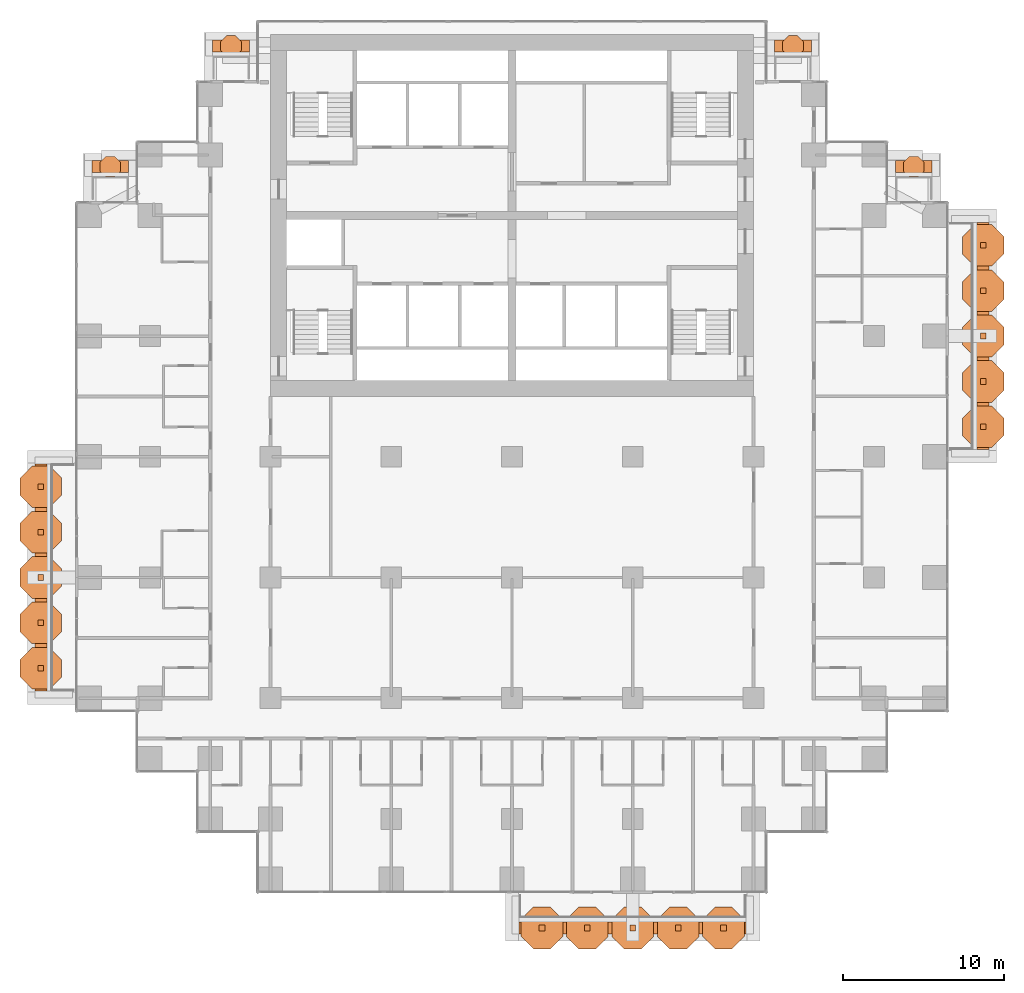
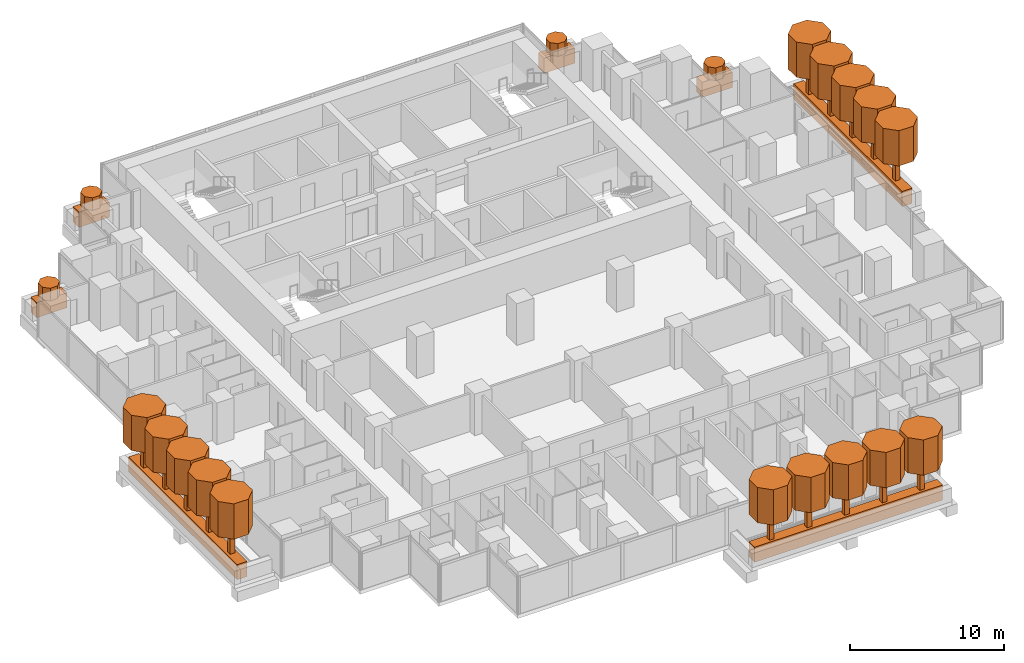
# One storey, part 19 of 19: 41 geographic elements.
"""IFC4 building model written with IfcOpenShell, lengths in metres."""

from ifc_helpers import new_model, si_unit, direction, frame, origin, origin_2d, place, context, subcontext, project, spatial, polyline, rectangle, outline, extrude, material, material_profile, profile_set, type_object, element, save


model = new_model("IFC4")

# Units and contexts
model_context = context("Model", 3, precision=1e-05, world=origin(), true_north=direction((0.0, 1.0)))
body_context = subcontext(model_context, "Body", "Model", "MODEL_VIEW")
ifc_project = project(units=[si_unit("LENGTHUNIT", "METRE"), si_unit("AREAUNIT", "SQUARE_METRE"), si_unit("VOLUMEUNIT", "CUBIC_METRE"), si_unit("PLANEANGLEUNIT", "RADIAN"), si_unit("MASSUNIT", "GRAM", prefix="KILO")], contexts=[model_context])

# Site, building, storey
site_placement = place(None, origin())
site = spatial("IfcSite", under=ifc_project, at=site_placement, CompositionType="ELEMENT")
building_placement = place(site_placement, origin())
building = spatial("IfcBuilding", under=site, at=building_placement, Name="Pilkhan Gate Tower", CompositionType="ELEMENT")
storey_placement = place(building_placement, frame((0.0, 0.0, 65.89990234375)))
storey = spatial("IfcBuildingStorey", under=building, at=storey_placement, Name="L14", CompositionType="ELEMENT", Elevation=65.89990234375)

# Geographic elements
ifc_material_1 = material(Name="Foliage")
ifc_material_profile_1 = material_profile(ifc_material_1, rectangle(XDim=0.75, YDim=1.199951171875, at=origin_2d()), Name="Bed 750x1200")
ifc_profile_set_1 = profile_set([ifc_material_profile_1], Name="Foliage")
geographic_element_type_1 = type_object("IfcGeographicElementType", Name="Planting bed PB1", PredefinedType="USERDEFINED", material=ifc_profile_set_1)
for number, where, z_axis, x_axis, name in (
    (1, (75.449951171875, 38.22509765625, 0.60009765625), (1.0, 0.0, 0.0), (0.0, 1.0, 0.0), "Balcony L14 S planting bed"),
    (2, (104.27490234375, 67.949951171875, 0.60009765625), (0.0, 1.0, 0.0), (-1.0, 0.0, 0.0), "Balcony L14 E planting bed"),
):
    element("IfcGeographicElement", number, at=place(storey_placement, frame(where, z_axis=z_axis, x_axis=x_axis)), inside=storey, type_object=geographic_element_type_1, Name=name, ObjectType="PLANTING BED", PredefinedType="USERDEFINED", context=body_context, shape_type="SweptSolid", body=[
        extrude(rectangle(XDim=0.75, YDim=1.199951171875, at=origin_2d()), origin(), (0.0, 0.0, 1.0), 14.10009765625),
    ])
for number, where, z_axis, x_axis, name in (
    (3, (56.39990234375, 93.02490234375, 0.60009765625), (1.0, 0.0, 0.0), (0.0, 1.0, 0.0), "Balcony L14 N planting bed"),
    (4, (91.300048828125, 93.02490234375, 0.60009765625), (1.0, 0.0, 0.0), (0.0, 1.0, 0.0), "Balcony L14 N planting bed"),
):
    element("IfcGeographicElement", number, at=place(storey_placement, frame(where, z_axis=z_axis, x_axis=x_axis)), inside=storey, type_object=geographic_element_type_1, Name=name, ObjectType="PLANTING BED", PredefinedType="USERDEFINED", context=body_context, shape_type="SweptSolid", body=[
        extrude(rectangle(XDim=0.75, YDim=1.199951171875, at=origin_2d()), origin(), (0.0, 0.0, 1.0), 2.300048828125),
    ])
for number, where, z_axis, x_axis, name in (
    (5, (48.89990234375, 85.52490234375, 0.60009765625), (1.0, 0.0, 0.0), (0.0, 1.0, 0.0), "Balcony L14 N planting bed"),
    (6, (98.820068359375, 85.52490234375, 0.60009765625), (1.0, 0.0, 0.0), (0.0, 1.0, 0.0), "Balcony L14 N planting bed"),
):
    element("IfcGeographicElement", number, at=place(storey_placement, frame(where, z_axis=z_axis, x_axis=x_axis)), inside=storey, type_object=geographic_element_type_1, Name=name, ObjectType="PLANTING BED", PredefinedType="USERDEFINED", context=body_context, shape_type="SweptSolid", body=[
        extrude(rectangle(XDim=0.75, YDim=1.199951171875, at=origin_2d()), origin(), (0.0, 0.0, 1.0), 2.280029296875),
    ])
geographic_element_placement = place(storey_placement, frame((45.72509765625, 52.949951171875, 0.60009765625), z_axis=(0.0, 1.0, 0.0), x_axis=(-1.0, 0.0, 0.0)))
element("IfcGeographicElement", 7, at=geographic_element_placement, inside=storey, type_object=geographic_element_type_1, Name="Balcony L14 W planting bed", ObjectType="PLANTING BED", PredefinedType="USERDEFINED", context=body_context, shape_type="SweptSolid", body=[
    extrude(rectangle(XDim=0.75, YDim=1.199951171875, at=origin_2d()), origin(), (0.0, 0.0, 1.0), 14.10009765625),
])
ifc_material_profile_2 = material_profile(ifc_material_1, outline(polyline([(0.646728515625, 0.267822265625), (0.267822265625, 0.646728515625), (-0.267822265625, 0.646728515625), (-0.646728515625, 0.267822265625), (-0.646728515625, -0.267822265625), (-0.267822265625, -0.646728515625), (0.267822265625, -0.646728515625), (0.646728515625, -0.267822265625), (0.646728515625, 0.267822265625)])), Name="Shrub D1.4")
ifc_profile_set_2 = profile_set([ifc_material_profile_2], Name="Foliage")
geographic_element_type_2 = type_object("IfcGeographicElementType", Name="Shrub SH07", PredefinedType="USERDEFINED", material=ifc_profile_set_2)
for number, where, z_axis, x_axis, name in (
    (8, (57.550048828125, 93.02490234375, 1.2001953125), (0.0, 0.0, 1.0), (1.0, 0.0, 0.0), "Shrub L14 N 1"),
    (9, (92.449951171875, 93.02490234375, 1.2001953125), (0.0, 0.0, 1.0), (1.0, 0.0, 0.0), "Shrub L14 N 1"),
    (10, (50.0400390625, 85.52490234375, 1.2001953125), (0.0, 0.0, 1.0), (1.0, 0.0, 0.0), "Shrub L14 N 1"),
    (11, (99.9599609375, 85.52490234375, 1.2001953125), (0.0, 0.0, 1.0), (1.0, 0.0, 0.0), "Shrub L14 N 1"),
):
    element("IfcGeographicElement", number, at=place(storey_placement, frame(where, z_axis=z_axis, x_axis=x_axis)), inside=storey, type_object=geographic_element_type_2, Name=name, ObjectType="SHRUB", PredefinedType="USERDEFINED", context=body_context, shape_type="SweptSolid", body=[
        extrude(outline(polyline([(0.646728515625, 0.267822265625), (0.267822265625, 0.646728515625), (-0.267822265625, 0.646728515625), (-0.646728515625, 0.267822265625), (-0.646728515625, -0.267822265625), (-0.267822265625, -0.646728515625), (0.267822265625, -0.646728515625), (0.646728515625, -0.267822265625), (0.646728515625, 0.267822265625)])), origin(), (0.0, 0.0, 1.0), 1.0),
    ])
ifc_material_profile_3 = material_profile(ifc_material_1, outline(polyline([(1.29345703125, 0.535888671875), (0.535888671875, 1.29345703125), (-0.535888671875, 1.29345703125), (-1.29345703125, 0.535888671875), (-1.29345703125, -0.535888671875), (-0.535888671875, -1.29345703125), (0.535888671875, -1.29345703125), (1.29345703125, -0.535888671875), (1.29345703125, 0.535888671875)])), Name="Canopy D2.8")
ifc_profile_set_3 = profile_set([ifc_material_profile_3], Name="Foliage")
geographic_element_type_3 = type_object("IfcGeographicElementType", Name="Tree canopy TC14", PredefinedType="USERDEFINED", material=ifc_profile_set_3)
for number, where, z_axis, x_axis, name in (
    (12, (76.860107421875, 38.22509765625, 3.2001953125), (0.0, 0.0, 1.0), (1.0, 0.0, 0.0), "Tree L14 S 1 canopy"),
    (13, (79.679931640625, 38.22509765625, 3.2001953125), (0.0, 0.0, 1.0), (1.0, 0.0, 0.0), "Tree L14 S 2 canopy"),
    (14, (82.5, 38.22509765625, 3.2001953125), (0.0, 0.0, 1.0), (1.0, 0.0, 0.0), "Tree L14 S 3 canopy"),
    (15, (85.320068359375, 38.22509765625, 3.2001953125), (0.0, 0.0, 1.0), (1.0, 0.0, 0.0), "Tree L14 S 4 canopy"),
    (16, (88.139892578125, 38.22509765625, 3.2001953125), (0.0, 0.0, 1.0), (1.0, 0.0, 0.0), "Tree L14 S 5 canopy"),
    (17, (104.27490234375, 69.360107421875, 3.2001953125), (0.0, 0.0, 1.0), (1.0, 0.0, 0.0), "Tree L14 E 1 canopy"),
    (18, (104.27490234375, 72.179931640625, 3.2001953125), (0.0, 0.0, 1.0), (1.0, 0.0, 0.0), "Tree L14 E 2 canopy"),
    (19, (104.27490234375, 75.0, 3.2001953125), (0.0, 0.0, 1.0), (1.0, 0.0, 0.0), "Tree L14 E 3 canopy"),
    (20, (104.27490234375, 77.820068359375, 3.2001953125), (0.0, 0.0, 1.0), (1.0, 0.0, 0.0), "Tree L14 E 4 canopy"),
    (21, (104.27490234375, 80.639892578125, 3.2001953125), (0.0, 0.0, 1.0), (1.0, 0.0, 0.0), "Tree L14 E 5 canopy"),
    (22, (45.72509765625, 54.360107421875, 3.2001953125), (0.0, 0.0, 1.0), (1.0, 0.0, 0.0), "Tree L14 W 1 canopy"),
    (23, (45.72509765625, 57.179931640625, 3.2001953125), (0.0, 0.0, 1.0), (1.0, 0.0, 0.0), "Tree L14 W 2 canopy"),
    (24, (45.72509765625, 60.0, 3.2001953125), (0.0, 0.0, 1.0), (1.0, 0.0, 0.0), "Tree L14 W 3 canopy"),
    (25, (45.72509765625, 62.820068359375, 3.2001953125), (0.0, 0.0, 1.0), (1.0, 0.0, 0.0), "Tree L14 W 4 canopy"),
    (26, (45.72509765625, 65.639892578125, 3.2001953125), (0.0, 0.0, 1.0), (1.0, 0.0, 0.0), "Tree L14 W 5 canopy"),
):
    element("IfcGeographicElement", number, at=place(storey_placement, frame(where, z_axis=z_axis, x_axis=x_axis)), inside=storey, type_object=geographic_element_type_3, Name=name, ObjectType="TREE", PredefinedType="USERDEFINED", context=body_context, shape_type="SweptSolid", body=[
        extrude(outline(polyline([(1.29345703125, 0.535888671875), (0.535888671875, 1.29345703125), (-0.535888671875, 1.29345703125), (-1.29345703125, 0.535888671875), (-1.29345703125, -0.535888671875), (-0.535888671875, -1.29345703125), (0.535888671875, -1.29345703125), (1.29345703125, -0.535888671875), (1.29345703125, 0.535888671875)])), origin(), (0.0, 0.0, 1.0), 2.7998046875),
    ])
ifc_material_2 = material(Name="Timber trunk", Category="wood")
geographic_element_type_4 = type_object("IfcGeographicElementType", Name="Tree trunk TT1", PredefinedType="USERDEFINED", material=ifc_material_2)
for number, where, z_axis, x_axis, name in (
    (27, (76.860107421875, 38.22509765625, 1.2001953125), (0.0, 0.0, 1.0), (1.0, 0.0, 0.0), "Tree L14 S 1 trunk"),
    (28, (79.679931640625, 38.22509765625, 1.2001953125), (0.0, 0.0, 1.0), (1.0, 0.0, 0.0), "Tree L14 S 2 trunk"),
    (29, (82.5, 38.22509765625, 1.2001953125), (0.0, 0.0, 1.0), (1.0, 0.0, 0.0), "Tree L14 S 3 trunk"),
    (30, (85.320068359375, 38.22509765625, 1.2001953125), (0.0, 0.0, 1.0), (1.0, 0.0, 0.0), "Tree L14 S 4 trunk"),
    (31, (88.139892578125, 38.22509765625, 1.2001953125), (0.0, 0.0, 1.0), (1.0, 0.0, 0.0), "Tree L14 S 5 trunk"),
    (32, (104.27490234375, 69.360107421875, 1.2001953125), (0.0, 0.0, 1.0), (1.0, 0.0, 0.0), "Tree L14 E 1 trunk"),
    (33, (104.27490234375, 72.179931640625, 1.2001953125), (0.0, 0.0, 1.0), (1.0, 0.0, 0.0), "Tree L14 E 2 trunk"),
    (34, (104.27490234375, 75.0, 1.2001953125), (0.0, 0.0, 1.0), (1.0, 0.0, 0.0), "Tree L14 E 3 trunk"),
    (35, (104.27490234375, 77.820068359375, 1.2001953125), (0.0, 0.0, 1.0), (1.0, 0.0, 0.0), "Tree L14 E 4 trunk"),
    (36, (104.27490234375, 80.639892578125, 1.2001953125), (0.0, 0.0, 1.0), (1.0, 0.0, 0.0), "Tree L14 E 5 trunk"),
    (37, (45.72509765625, 54.360107421875, 1.2001953125), (0.0, 0.0, 1.0), (1.0, 0.0, 0.0), "Tree L14 W 1 trunk"),
    (38, (45.72509765625, 57.179931640625, 1.2001953125), (0.0, 0.0, 1.0), (1.0, 0.0, 0.0), "Tree L14 W 2 trunk"),
    (39, (45.72509765625, 60.0, 1.2001953125), (0.0, 0.0, 1.0), (1.0, 0.0, 0.0), "Tree L14 W 3 trunk"),
    (40, (45.72509765625, 62.820068359375, 1.2001953125), (0.0, 0.0, 1.0), (1.0, 0.0, 0.0), "Tree L14 W 4 trunk"),
    (41, (45.72509765625, 65.639892578125, 1.2001953125), (0.0, 0.0, 1.0), (1.0, 0.0, 0.0), "Tree L14 W 5 trunk"),
):
    element("IfcGeographicElement", number, at=place(storey_placement, frame(where, z_axis=z_axis, x_axis=x_axis)), inside=storey, type_object=geographic_element_type_4, Name=name, ObjectType="TREE", PredefinedType="USERDEFINED", context=body_context, shape_type="SweptSolid", body=[
        extrude(rectangle(XDim=0.35009765625, YDim=0.35009765625, at=origin_2d()), origin(), (0.0, 0.0, 1.0), 2.0),
    ])

save(model, "model.ifc")
